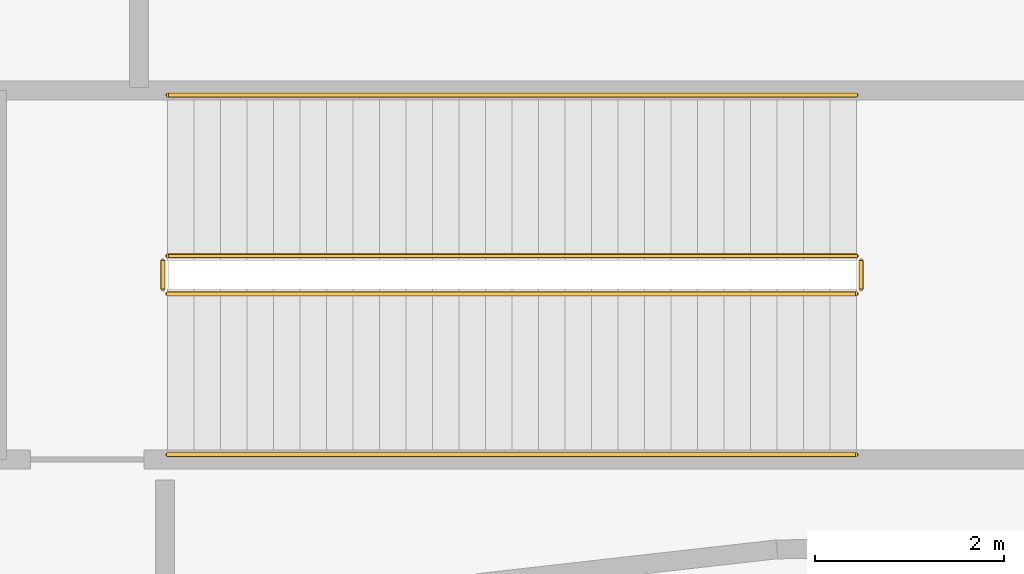
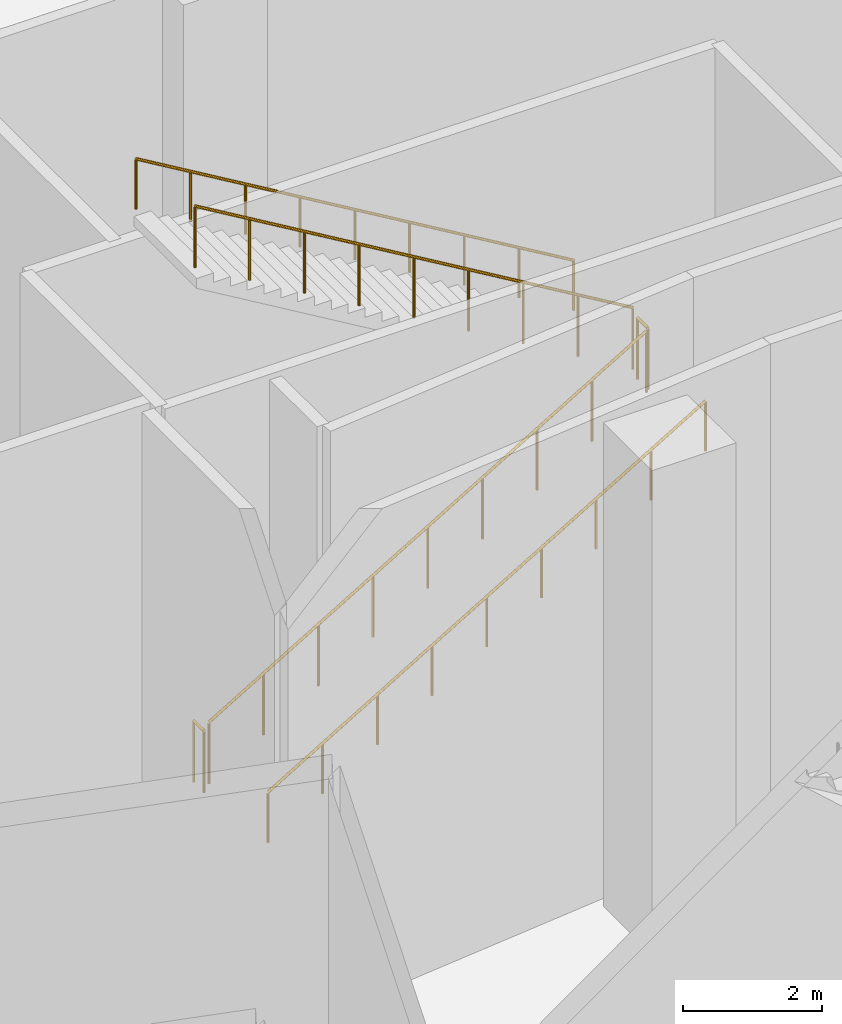
# One storey, part 40 of 54: 6 railings.
"""IFC4 building model written with IfcOpenShell, lengths in metres."""

from ifc_helpers import new_model, si_unit, direction, frame, origin, origin_2d, place, context, subcontext, project, spatial, circle, extrude, material, type_object, element, save


model = new_model("IFC4")

# Units and contexts
model_context = context("Model", 3, precision=1e-05, world=origin(), true_north=direction((0.0, 1.0)))
body_context = subcontext(model_context, "Body", "Model", "MODEL_VIEW")
ifc_project = project(units=[si_unit("LENGTHUNIT", "METRE"), si_unit("AREAUNIT", "SQUARE_METRE"), si_unit("VOLUMEUNIT", "CUBIC_METRE"), si_unit("PLANEANGLEUNIT", "RADIAN"), si_unit("MASSUNIT", "GRAM", prefix="KILO")], contexts=[model_context])

# Site, building, storey
site_placement = place(None, origin())
site = spatial("IfcSite", under=ifc_project, at=site_placement, CompositionType="ELEMENT")
building_placement = place(site_placement, origin())
building = spatial("IfcBuilding", under=site, at=building_placement, Name="Tamarind Cross Interchange Tower", CompositionType="ELEMENT")
storey_placement = place(building_placement, origin())
storey = spatial("IfcBuildingStorey", under=building, at=storey_placement, Name="L00", CompositionType="ELEMENT", Elevation=0.0)

# Railings
ifc_material_1 = material(Name="Public stair guard")
railing_type_1 = type_object("IfcRailingType", Name="Public stair guard", PredefinedType="GUARDRAIL", material=ifc_material_1)
railing_1_placement = place(storey_placement, frame((-58.199951171875, -21.0, 0.166748046875)))
element("IfcRailing", 1, at=railing_1_placement, inside=storey, type_object=railing_type_1, Name="L00 XS-P08 stair guard 1", PredefinedType="GUARDRAIL", context=body_context, shape_type="SweptSolid", body=[
    extrude(circle(Radius=0.02392578125, at=origin_2d()), frame((0.0, 0.0, 1.076171875), z_axis=(0.859298010897, 0.0, 0.511475247171), x_axis=(0.0, 1.0, 0.0)), (0.0, 0.0, 1.0), 8.47216796875),
    extrude(circle(Radius=0.02099609375, at=origin_2d()), origin(), (0.0, 0.0, 1.0), 1.052001953125),
    extrude(circle(Radius=0.02099609375, at=origin_2d()), frame((0.909912109375, 0.0, 0.541748046875)), (0.0, 0.0, 1.0), 1.052001953125),
    extrude(circle(Radius=0.02099609375, at=origin_2d()), frame((1.820068359375, 0.0, 1.083251953125)), (0.0, 0.0, 1.0), 1.052001953125),
    extrude(circle(Radius=0.02099609375, at=origin_2d()), frame((2.72998046875, 0.0, 1.625)), (0.0, 0.0, 1.0), 1.052001953125),
    extrude(circle(Radius=0.02099609375, at=origin_2d()), frame((3.64013671875, 0.0, 2.16650390625)), (0.0, 0.0, 1.0), 1.052001953125),
    extrude(circle(Radius=0.02099609375, at=origin_2d()), frame((4.550048828125, 0.0, 2.708251953125)), (0.0, 0.0, 1.0), 1.052001953125),
    extrude(circle(Radius=0.02099609375, at=origin_2d()), frame((5.4599609375, 0.0, 3.25)), (0.0, 0.0, 1.0), 1.052001953125),
    extrude(circle(Radius=0.02099609375, at=origin_2d()), frame((6.3701171875, 0.0, 3.79150390625)), (0.0, 0.0, 1.0), 1.052001953125),
    extrude(circle(Radius=0.02099609375, at=origin_2d()), frame((7.280029296875, 0.0, 4.333251953125)), (0.0, 0.0, 1.0), 1.052001953125),
])
railing_2_placement = place(storey_placement, frame((-50.8701171875, -20.949951171875, 4.5)))
element("IfcRailing", 2, at=railing_2_placement, inside=storey, type_object=railing_type_1, Name="L00 XS-P08 stair guard 2", PredefinedType="GUARDRAIL", context=body_context, shape_type="SweptSolid", body=[
    extrude(circle(Radius=0.02392578125, at=origin_2d()), frame((0.0, 0.0, 1.076171875), z_axis=(0.0, 1.0, 0.0), x_axis=(-1.0, 0.0, 0.0)), (0.0, 0.0, 1.0), 0.300048828125),
    extrude(circle(Radius=0.02099609375, at=origin_2d()), origin(), (0.0, 0.0, 1.0), 1.052001953125),
    extrude(circle(Radius=0.02099609375, at=origin_2d()), frame((0.0, 0.300048828125, 0.0)), (0.0, 0.0, 1.0), 1.052001953125),
])
railing_3_placement = place(storey_placement, frame((-50.919921875, -20.60009765625, 4.666748046875)))
element("IfcRailing", 3, at=railing_3_placement, inside=storey, type_object=railing_type_1, Name="L00 XS-P08 stair guard 3", PredefinedType="GUARDRAIL", context=body_context, shape_type="SweptSolid", body=[
    extrude(circle(Radius=0.02392578125, at=origin_2d()), frame((0.0, 0.0, 1.076171875), z_axis=(-0.859298010897, 0.0, 0.511475247171), x_axis=(0.0, -1.0, 0.0)), (0.0, 0.0, 1.0), 8.47216796875),
    extrude(circle(Radius=0.02099609375, at=origin_2d()), origin(), (0.0, 0.0, 1.0), 1.052001953125),
    extrude(circle(Radius=0.02099609375, at=origin_2d()), frame((-0.909912109375, 0.0, 0.541748046875)), (0.0, 0.0, 1.0), 1.052001953125),
    extrude(circle(Radius=0.02099609375, at=origin_2d()), frame((-1.820068359375, 0.0, 1.083251953125)), (0.0, 0.0, 1.0), 1.052001953125),
    extrude(circle(Radius=0.02099609375, at=origin_2d()), frame((-2.72998046875, 0.0, 1.625)), (0.0, 0.0, 1.0), 1.052001953125),
    extrude(circle(Radius=0.02099609375, at=origin_2d()), frame((-3.64013671875, 0.0, 2.16650390625)), (0.0, 0.0, 1.0), 1.052001953125),
    extrude(circle(Radius=0.02099609375, at=origin_2d()), frame((-4.550048828125, 0.0, 2.708251953125)), (0.0, 0.0, 1.0), 1.052001953125),
    extrude(circle(Radius=0.02099609375, at=origin_2d()), frame((-5.4599609375, 0.0, 3.25)), (0.0, 0.0, 1.0), 1.052001953125),
    extrude(circle(Radius=0.02099609375, at=origin_2d()), frame((-6.3701171875, 0.0, 3.79150390625)), (0.0, 0.0, 1.0), 1.052001953125),
    extrude(circle(Radius=0.02099609375, at=origin_2d()), frame((-7.280029296875, 0.0, 4.333251953125)), (0.0, 0.0, 1.0), 1.052001953125),
])
railing_4_placement = place(storey_placement, frame((-58.25, -20.949951171875, 0.0)))
element("IfcRailing", 4, at=railing_4_placement, inside=storey, type_object=railing_type_1, Name="L00 XS-P08 stair guard 4", PredefinedType="GUARDRAIL", context=body_context, shape_type="SweptSolid", body=[
    extrude(circle(Radius=0.02392578125, at=origin_2d()), frame((0.0, 0.0, 1.076171875), z_axis=(0.0, 1.0, 0.0), x_axis=(-1.0, 0.0, 0.0)), (0.0, 0.0, 1.0), 0.300048828125),
    extrude(circle(Radius=0.02099609375, at=origin_2d()), origin(), (0.0, 0.0, 1.0), 1.052001953125),
    extrude(circle(Radius=0.02099609375, at=origin_2d()), frame((0.0, 0.300048828125, 0.0)), (0.0, 0.0, 1.0), 1.052001953125),
])
ifc_material_2 = material(Name="Public stair handrail")
railing_type_2 = type_object("IfcRailingType", Name="Public stair handrail", PredefinedType="HANDRAIL", material=ifc_material_2)
railing_5_placement = place(storey_placement, frame((-58.199951171875, -22.699951171875, 0.166748046875)))
element("IfcRailing", 5, at=railing_5_placement, inside=storey, type_object=railing_type_2, Name="L00 XS-P08 stair handrail 1", PredefinedType="HANDRAIL", context=body_context, shape_type="SweptSolid", body=[
    extrude(circle(Radius=0.02392578125, at=origin_2d()), frame((0.0, 0.0, 0.8759765625), z_axis=(0.859298010897, 0.0, 0.511475247171), x_axis=(0.0, 1.0, 0.0)), (0.0, 0.0, 1.0), 8.47216796875),
    extrude(circle(Radius=0.02099609375, at=origin_2d()), origin(), (0.0, 0.0, 1.0), 0.851806640625),
    extrude(circle(Radius=0.02099609375, at=origin_2d()), frame((0.909912109375, 0.0, 0.541748046875)), (0.0, 0.0, 1.0), 0.851806640625),
    extrude(circle(Radius=0.02099609375, at=origin_2d()), frame((1.820068359375, 0.0, 1.083251953125)), (0.0, 0.0, 1.0), 0.851806640625),
    extrude(circle(Radius=0.02099609375, at=origin_2d()), frame((2.72998046875, 0.0, 1.625)), (0.0, 0.0, 1.0), 0.851806640625),
    extrude(circle(Radius=0.02099609375, at=origin_2d()), frame((3.64013671875, 0.0, 2.16650390625)), (0.0, 0.0, 1.0), 0.851806640625),
    extrude(circle(Radius=0.02099609375, at=origin_2d()), frame((4.550048828125, 0.0, 2.708251953125)), (0.0, 0.0, 1.0), 0.851806640625),
    extrude(circle(Radius=0.02099609375, at=origin_2d()), frame((5.4599609375, 0.0, 3.25)), (0.0, 0.0, 1.0), 0.851806640625),
    extrude(circle(Radius=0.02099609375, at=origin_2d()), frame((6.3701171875, 0.0, 3.79150390625)), (0.0, 0.0, 1.0), 0.851806640625),
    extrude(circle(Radius=0.02099609375, at=origin_2d()), frame((7.280029296875, 0.0, 4.333251953125)), (0.0, 0.0, 1.0), 0.851806640625),
])
railing_6_placement = place(storey_placement, frame((-50.919921875, -18.89990234375, 4.666748046875)))
element("IfcRailing", 6, at=railing_6_placement, inside=storey, type_object=railing_type_2, Name="L00 XS-P08 stair handrail 2", PredefinedType="HANDRAIL", context=body_context, shape_type="SweptSolid", body=[
    extrude(circle(Radius=0.02392578125, at=origin_2d()), frame((0.0, 0.0, 0.8759765625), z_axis=(-0.859298010897, 0.0, 0.511475247171), x_axis=(0.0, -1.0, 0.0)), (0.0, 0.0, 1.0), 8.47216796875),
    extrude(circle(Radius=0.02099609375, at=origin_2d()), origin(), (0.0, 0.0, 1.0), 0.851806640625),
    extrude(circle(Radius=0.02099609375, at=origin_2d()), frame((-0.909912109375, 0.0, 0.541748046875)), (0.0, 0.0, 1.0), 0.851806640625),
    extrude(circle(Radius=0.02099609375, at=origin_2d()), frame((-1.820068359375, 0.0, 1.083251953125)), (0.0, 0.0, 1.0), 0.851806640625),
    extrude(circle(Radius=0.02099609375, at=origin_2d()), frame((-2.72998046875, 0.0, 1.625)), (0.0, 0.0, 1.0), 0.851806640625),
    extrude(circle(Radius=0.02099609375, at=origin_2d()), frame((-3.64013671875, 0.0, 2.16650390625)), (0.0, 0.0, 1.0), 0.851806640625),
    extrude(circle(Radius=0.02099609375, at=origin_2d()), frame((-4.550048828125, 0.0, 2.708251953125)), (0.0, 0.0, 1.0), 0.851806640625),
    extrude(circle(Radius=0.02099609375, at=origin_2d()), frame((-5.4599609375, 0.0, 3.25)), (0.0, 0.0, 1.0), 0.851806640625),
    extrude(circle(Radius=0.02099609375, at=origin_2d()), frame((-6.3701171875, 0.0, 3.79150390625)), (0.0, 0.0, 1.0), 0.851806640625),
    extrude(circle(Radius=0.02099609375, at=origin_2d()), frame((-7.280029296875, 0.0, 4.333251953125)), (0.0, 0.0, 1.0), 0.851806640625),
])

save(model, "model.ifc")
